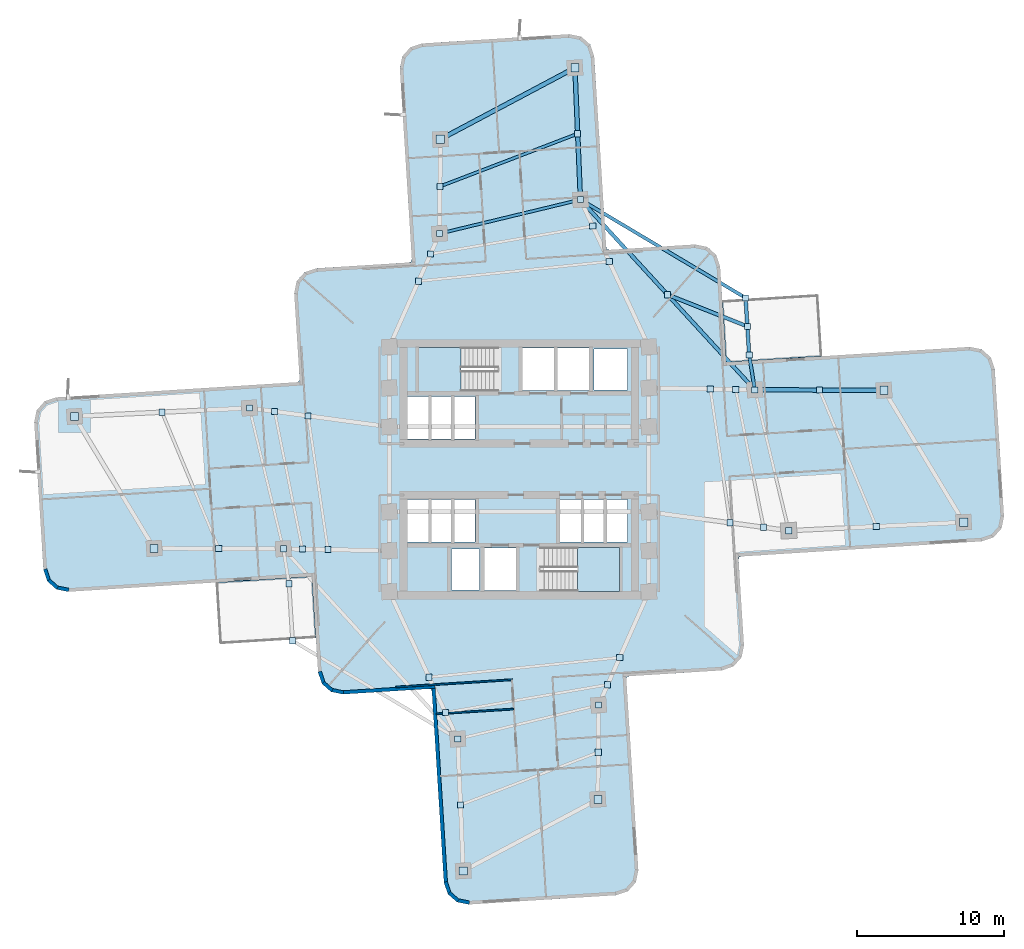
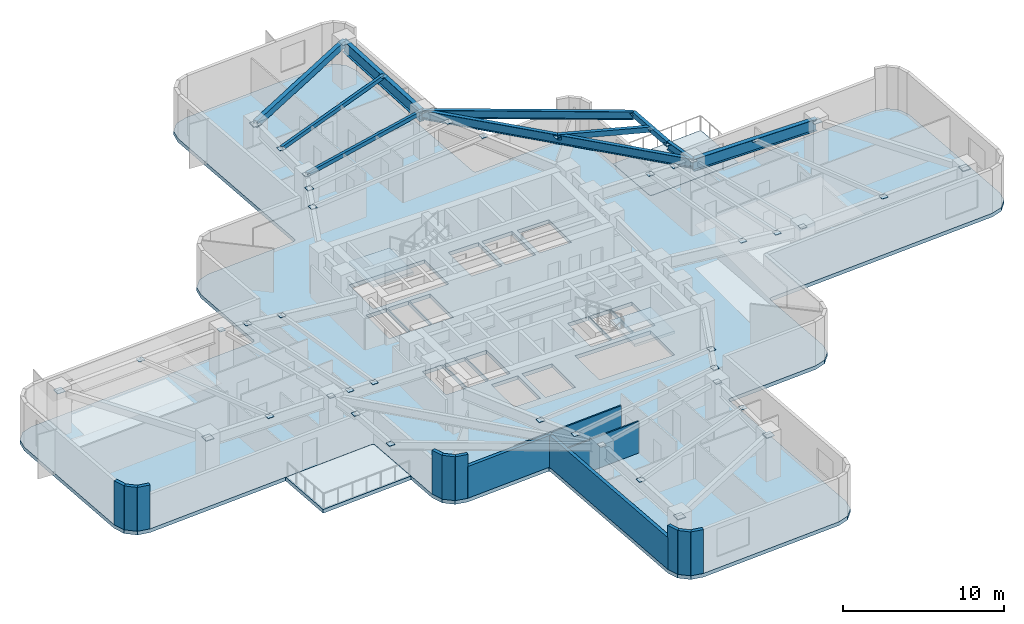
# One storey, part 2 of 11: 46 plates, 13 walls, 10 beams, 5 slabs, 2 elements without a shape of their own.
"""IFC4 building model written with IfcOpenShell, lengths in metres."""

from ifc_helpers import new_model, si_unit, direction, frame, frame_2d, origin, origin_2d, place, context, subcontext, project, spatial, polyline, rectangle, hollow_rectangle, i_section, outline, extrude, material, layer, layer_set, material_profile, profile_set, type_object, element, aggregate, save


model = new_model("IFC4")

# Units and contexts
model_context = context("Model", 3, precision=1e-05, world=origin(), true_north=direction((0.0, 1.0)))
body_context = subcontext(model_context, "Body", "Model", "MODEL_VIEW")
ifc_project = project(units=[si_unit("LENGTHUNIT", "METRE"), si_unit("AREAUNIT", "SQUARE_METRE"), si_unit("VOLUMEUNIT", "CUBIC_METRE"), si_unit("PLANEANGLEUNIT", "RADIAN"), si_unit("MASSUNIT", "GRAM", prefix="KILO")], contexts=[model_context])

# Site, building, storey
site_placement = place(None, origin())
site = spatial("IfcSite", under=ifc_project, at=site_placement, CompositionType="ELEMENT")
building_placement = place(site_placement, origin())
building = spatial("IfcBuilding", under=site, at=building_placement, Name="Solmarez Civic Tower", CompositionType="ELEMENT")
storey_placement = place(building_placement, frame((0.0, 0.0, 49.679931640625)))
storey = spatial("IfcBuildingStorey", under=building, at=storey_placement, Name="L12", CompositionType="ELEMENT", Elevation=49.679931640625)

# Beams
ifc_material_1 = material(Name="Steel S355", Category="steel")
ifc_material_profile_1 = material_profile(ifc_material_1, hollow_rectangle(XDim=0.199951171875, YDim=0.300048828125, WallThickness=0.011962890625, at=origin_2d()), Name="HSS300X200X12")
ifc_profile_set_1 = profile_set([ifc_material_profile_1], Name="Steel S355")
beam_type_1 = type_object("IfcBeamType", Name="BM-JS-HSS300X200", PredefinedType="JOIST", material=ifc_profile_set_1)
beam_1_placement = place(storey_placement, frame((4.18408203125, 18.39111328125, 3.170166015625), z_axis=(-0.97215737271, -0.234328919867, 0.0), x_axis=(0.234328919867, -0.97215737271, 0.0)))
element("IfcBeam", 1, at=beam_1_placement, inside=storey, type_object=beam_type_1, Name="L12 Secondary Floor Joist BM-L12-NA-T1", PredefinedType="JOIST", context=body_context, shape_type="SweptSolid", body=[
    extrude(hollow_rectangle(XDim=0.199951171875, YDim=0.300048828125, WallThickness=0.011962890625, at=origin_2d()), origin(), (0.0, 0.0, 1.0), 9.880126953125),
])
beam_2_placement = place(storey_placement, frame((3.9951171875, 22.886962890625, 3.170166015625), z_axis=(-0.933878315551, -0.357590955903, 0.0), x_axis=(0.357590955903, -0.933878315551, 0.0)))
element("IfcBeam", 2, at=beam_2_placement, inside=storey, type_object=beam_type_1, Name="L12 Secondary Floor Joist JS-L12-NA-M2", PredefinedType="JOIST", context=body_context, shape_type="SweptSolid", body=[
    extrude(hollow_rectangle(XDim=0.199951171875, YDim=0.300048828125, WallThickness=0.011962890625, at=origin_2d()), origin(), (0.0, 0.0, 1.0), 10.05615234375),
])
ifc_material_profile_2 = material_profile(ifc_material_1, i_section(OverallWidth=0.25390625, OverallDepth=0.68798828125, WebThickness=0.01318359375, FlangeThickness=0.02099609375, at=origin_2d()), Name="W27X102")
ifc_profile_set_2 = profile_set([ifc_material_profile_2], Name="Steel S355")
beam_type_2 = type_object("IfcBeamType", Name="BM-PR-W27X102", PredefinedType="BEAM", material=ifc_profile_set_2)
beam_3_placement = place(storey_placement, frame((16.075927734375, 5.4208984375, 2.97607421875), z_axis=(-0.6758012736, 0.737083874875, 0.0), x_axis=(-0.737083874875, -0.6758012736, 0.0)))
element("IfcBeam", 3, at=beam_3_placement, inside=storey, type_object=beam_type_2, Name="L12 Primary Floor Beam BM-L12-BALC-NEC", PredefinedType="BEAM", context=body_context, shape_type="SweptSolid", body=[
    extrude(i_section(OverallWidth=0.25390625, OverallDepth=0.68798828125, WebThickness=0.01318359375, FlangeThickness=0.02099609375, at=origin_2d()), origin(), (0.0, 0.0, 1.0), 17.5966796875),
])
ifc_material_profile_3 = material_profile(ifc_material_1, i_section(OverallWidth=0.303955078125, OverallDepth=0.910888671875, WebThickness=0.015869140625, FlangeThickness=0.02392578125, at=origin_2d()), Name="W36X150")
ifc_profile_set_3 = profile_set([ifc_material_profile_3], Name="Steel S355")
beam_type_3 = type_object("IfcBeamType", Name="BM-PR-W36X150", PredefinedType="BEAM", material=ifc_profile_set_3)
beam_4_placement = place(storey_placement, frame((16.075927734375, 5.4208984375, 2.864013671875), z_axis=(0.99999501223, -0.003158403928, 0.0), x_axis=(0.003158403928, 0.99999501223, 0.0)))
element("IfcBeam", 4, at=beam_4_placement, inside=storey, type_object=beam_type_3, Name="L12 Primary Floor Beam BM-L12-EA-R2B", PredefinedType="BEAM", context=body_context, shape_type="SweptSolid", body=[
    extrude(i_section(OverallWidth=0.303955078125, OverallDepth=0.910888671875, WebThickness=0.015869140625, FlangeThickness=0.02392578125, at=origin_2d()), origin(), (0.0, 0.0, 1.0), 8.81201171875),
])
beam_5_placement = place(storey_placement, frame((4.18408203125, 18.39111328125, 2.864013671875), z_axis=(-0.041911499832, 0.999121327058, 0.0), x_axis=(-0.999121327058, -0.041911499832, 0.0)))
element("IfcBeam", 5, at=beam_5_placement, inside=storey, type_object=beam_type_3, Name="L12 Primary Floor Beam BM-L12-NA-R2A", PredefinedType="BEAM", context=body_context, shape_type="SweptSolid", body=[
    extrude(i_section(OverallWidth=0.303955078125, OverallDepth=0.910888671875, WebThickness=0.015869140625, FlangeThickness=0.02392578125, at=origin_2d()), origin(), (0.0, 0.0, 1.0), 8.999755859375),
])
ifc_material_profile_4 = material_profile(ifc_material_1, hollow_rectangle(XDim=0.25, YDim=0.39990234375, WallThickness=0.01611328125, at=origin_2d()), Name="HSS400X250X16")
ifc_profile_set_4 = profile_set([ifc_material_profile_4], Name="Steel S355")
beam_type_4 = type_object("IfcBeamType", Name="BM-SP-HSS400X250", PredefinedType="SPANDREL", material=ifc_profile_set_4)
beam_6_placement = place(storey_placement, frame((15.69091796875, 7.801025390625, 3.1201171875), z_axis=(-0.062791415886, 0.998026672034, 0.0), x_axis=(-0.998026672034, -0.062791415886, 0.0)))
element("IfcBeam", 6, at=beam_6_placement, inside=storey, type_object=beam_type_4, Name="L12 Perimeter Spandrel Beam BM-L12-BALC-NEE", PredefinedType="SPANDREL", context=body_context, shape_type="SweptSolid", body=[
    extrude(hollow_rectangle(XDim=0.25, YDim=0.39990234375, WallThickness=0.01611328125, at=origin_2d()), origin(), (0.0, 0.0, 1.0), 3.89990234375),
])
beam_7_placement = place(storey_placement, frame((10.1298828125, 11.906005859375, 3.1201171875), z_axis=(0.929460285924, -0.368922182702, 0.0), x_axis=(0.368922182702, 0.929460285924, 0.0)))
element("IfcBeam", 7, at=beam_7_placement, inside=storey, type_object=beam_type_4, Name="L12 Perimeter Spandrel Beam BM-L12-BALC-NEM", PredefinedType="SPANDREL", context=body_context, shape_type="SweptSolid", body=[
    extrude(hollow_rectangle(XDim=0.25, YDim=0.39990234375, WallThickness=0.01611328125, at=origin_2d()), origin(), (0.0, 0.0, 1.0), 5.85205078125),
])
ifc_material_profile_5 = material_profile(ifc_material_1, hollow_rectangle(XDim=0.300048828125, YDim=0.5, WallThickness=0.02001953125, at=origin_2d()), Name="HSS500X300X20")
ifc_profile_set_5 = profile_set([ifc_material_profile_5], Name="Steel S355")
beam_type_5 = type_object("IfcBeamType", Name="BM-SP-HSS500X300", PredefinedType="SPANDREL", material=ifc_profile_set_5)
beam_8_placement = place(storey_placement, frame((3.806884765625, 27.383056640625, 3.070068359375), z_axis=(-0.883129404808, -0.469129464394, 0.0), x_axis=(0.469129464394, -0.883129404808, 0.0)))
element("IfcBeam", 8, at=beam_8_placement, inside=storey, type_object=beam_type_5, Name="L12 Perimeter Spandrel Beam BM-L12-NA-T2", PredefinedType="SPANDREL", context=body_context, shape_type="SweptSolid", body=[
    extrude(hollow_rectangle(XDim=0.300048828125, YDim=0.5, WallThickness=0.02001953125, at=origin_2d()), origin(), (0.0, 0.0, 1.0), 10.3935546875),
])
ifc_material_profile_6 = material_profile(ifc_material_1, i_section(OverallWidth=0.22900390625, OverallDepth=0.612060546875, WebThickness=0.011962890625, FlangeThickness=0.01953125, at=origin_2d()), Name="W24X84")
ifc_profile_set_6 = profile_set([ifc_material_profile_6], Name="Steel S355")
beam_type_6 = type_object("IfcBeamType", Name="BM-SP-W24X84", PredefinedType="SPANDREL", material=ifc_profile_set_6)
beam_9_placement = place(storey_placement, frame((16.075927734375, 5.4208984375, 3.01416015625), z_axis=(-0.159684490548, 0.987168102948, 0.0), x_axis=(-0.987168102948, -0.159684490548, 0.0)))
element("IfcBeam", 9, at=beam_9_placement, inside=storey, type_object=beam_type_6, Name="L12 Perimeter Spandrel Beam BM-L12-BALC-NE1", PredefinedType="SPANDREL", context=body_context, shape_type="SweptSolid", body=[
    extrude(i_section(OverallWidth=0.22900390625, OverallDepth=0.612060546875, WebThickness=0.011962890625, FlangeThickness=0.01953125, at=origin_2d()), origin(), (0.0, 0.0, 1.0), 2.4111328125),
])
beam_10_placement = place(storey_placement, frame((4.18408203125, 18.39111328125, 3.01416015625), z_axis=(0.859479031242, -0.511171003536, 0.0), x_axis=(0.511171003536, 0.859479031242, 0.0)))
element("IfcBeam", 10, at=beam_10_placement, inside=storey, type_object=beam_type_6, Name="L12 Perimeter Spandrel Beam BM-L12-BALC-NE2", PredefinedType="SPANDREL", context=body_context, shape_type="SweptSolid", body=[
    extrude(i_section(OverallWidth=0.22900390625, OverallDepth=0.612060546875, WebThickness=0.011962890625, FlangeThickness=0.01953125, at=origin_2d()), origin(), (0.0, 0.0, 1.0), 13.103271484375),
])

# Plates
ifc_layer_1 = layer(ifc_material_1, 0.02392578125)
ifc_layer_set_1 = layer_set([ifc_layer_1], Name="Steel S355")
plate_type_1 = type_object("IfcPlateType", Name="PLT-CAP-380", PredefinedType="USERDEFINED", material=ifc_layer_set_1)
for number, where, z_axis, x_axis, name in (
    (11, (18.39111328125, -4.18408203125, 3.158203125), (0.0, 0.0, 1.0), (1.0, 0.0, 0.0), "Steel Member End Cap Plate CAP-BM-L12-EA-T1-0"),
    (12, (16.075927734375, 5.4208984375, 3.158203125), (0.0, 0.0, 1.0), (1.0, 0.0, 0.0), "Steel Member End Cap Plate CAP-BM-L12-EA-T1-1"),
    (13, (24.35498046875, -3.89697265625, 3.158203125), (0.0, 0.0, 1.0), (1.0, 0.0, 0.0), "Steel Member End Cap Plate CAP-JS-L12-EA-M2-0"),
    (14, (20.48193359375, 5.406982421875, 3.158203125), (0.0, 0.0, 1.0), (1.0, 0.0, 0.0), "Steel Member End Cap Plate CAP-JS-L12-EA-M2-1"),
    (15, (14.384033203125, -3.64501953125, 3.158203125), (0.0, 0.0, 1.0), (1.0, 0.0, 0.0), "Steel Member End Cap Plate CAP-JS-L12-EA-M11-0"),
    (16, (13.041015625, 5.47509765625, 3.158203125), (0.0, 0.0, 1.0), (1.0, 0.0, 0.0), "Steel Member End Cap Plate CAP-JS-L12-EA-M11-1"),
    (17, (16.674072265625, -3.952880859375, 3.158203125), (0.0, 0.0, 1.0), (1.0, 0.0, 0.0), "Steel Member End Cap Plate CAP-JS-L12-EA-M12-0"),
    (18, (14.77490234375, 5.444091796875, 3.158203125), (0.0, 0.0, 1.0), (1.0, 0.0, 0.0), "Steel Member End Cap Plate CAP-JS-L12-EA-M12-1"),
    (19, (4.18408203125, 18.39111328125, 3.158203125), (0.0, 0.0, 1.0), (1.0, 0.0, 0.0), "Steel Member End Cap Plate CAP-BM-L12-NA-T1-0"),
    (20, (-5.4208984375, 16.075927734375, 3.158203125), (0.0, 0.0, 1.0), (1.0, 0.0, 0.0), "Steel Member End Cap Plate CAP-BM-L12-NA-T1-1"),
    (21, (3.9951171875, 22.886962890625, 3.158203125), (0.0, 0.0, 1.0), (1.0, 0.0, 0.0), "Steel Member End Cap Plate CAP-JS-L12-NA-M2-0"),
    (22, (-5.39599609375, 19.291015625, 3.158203125), (0.0, 0.0, 1.0), (1.0, 0.0, 0.0), "Steel Member End Cap Plate CAP-JS-L12-NA-M2-1"),
    (23, (6.14404296875, 14.174072265625, 3.158203125), (0.0, 0.0, 1.0), (1.0, 0.0, 0.0), "Steel Member End Cap Plate CAP-JS-L12-NA-M11-0"),
    (24, (-6.861083984375, 12.8310546875, 3.158203125), (0.0, 0.0, 1.0), (1.0, 0.0, 0.0), "Steel Member End Cap Plate CAP-JS-L12-NA-M11-1"),
    (25, (5.02392578125, 16.583984375, 3.158203125), (0.0, 0.0, 1.0), (1.0, 0.0, 0.0), "Steel Member End Cap Plate CAP-JS-L12-NA-M12-0"),
    (26, (-6.0380859375, 14.68505859375, 3.158203125), (0.0, 0.0, 1.0), (1.0, 0.0, 0.0), "Steel Member End Cap Plate CAP-JS-L12-NA-M12-1"),
    (27, (-18.39111328125, 4.18408203125, 3.158203125), (0.0, 0.0, 1.0), (1.0, 0.0, 0.0), "Steel Member End Cap Plate CAP-BM-L12-WA-T1-0"),
    (28, (-16.075927734375, -5.4208984375, 3.158203125), (0.0, 0.0, 1.0), (1.0, 0.0, 0.0), "Steel Member End Cap Plate CAP-BM-L12-WA-T1-1"),
    (29, (-24.35498046875, 3.89697265625, 3.158203125), (0.0, 0.0, 1.0), (1.0, 0.0, 0.0), "Steel Member End Cap Plate CAP-JS-L12-WA-M2-0"),
    (30, (-20.48193359375, -5.406982421875, 3.158203125), (0.0, 0.0, 1.0), (1.0, 0.0, 0.0), "Steel Member End Cap Plate CAP-JS-L12-WA-M2-1"),
    (31, (-14.384033203125, 3.64501953125, 3.158203125), (0.0, 0.0, 1.0), (1.0, 0.0, 0.0), "Steel Member End Cap Plate CAP-JS-L12-WA-M11-0"),
    (32, (-13.041015625, -5.47509765625, 3.158203125), (0.0, 0.0, 1.0), (1.0, 0.0, 0.0), "Steel Member End Cap Plate CAP-JS-L12-WA-M11-1"),
    (33, (-16.674072265625, 3.952880859375, 3.158203125), (0.0, 0.0, 1.0), (1.0, 0.0, 0.0), "Steel Member End Cap Plate CAP-JS-L12-WA-M12-0"),
    (34, (-14.77490234375, -5.444091796875, 3.158203125), (0.0, 0.0, 1.0), (1.0, 0.0, 0.0), "Steel Member End Cap Plate CAP-JS-L12-WA-M12-1"),
    (35, (-4.18408203125, -18.39111328125, 3.158203125), (0.0, 0.0, 1.0), (1.0, 0.0, 0.0), "Steel Member End Cap Plate CAP-BM-L12-SA-T1-0"),
    (36, (5.4208984375, -16.075927734375, 3.158203125), (0.0, 0.0, 1.0), (1.0, 0.0, 0.0), "Steel Member End Cap Plate CAP-BM-L12-SA-T1-1"),
    (37, (-3.9951171875, -22.886962890625, 3.158203125), (0.0, 0.0, 1.0), (1.0, 0.0, 0.0), "Steel Member End Cap Plate CAP-JS-L12-SA-M2-0"),
    (38, (5.39599609375, -19.291015625, 3.158203125), (0.0, 0.0, 1.0), (1.0, 0.0, 0.0), "Steel Member End Cap Plate CAP-JS-L12-SA-M2-1"),
    (39, (-6.14404296875, -14.174072265625, 3.158203125), (0.0, 0.0, 1.0), (1.0, 0.0, 0.0), "Steel Member End Cap Plate CAP-JS-L12-SA-M11-0"),
    (40, (6.861083984375, -12.8310546875, 3.158203125), (0.0, 0.0, 1.0), (1.0, 0.0, 0.0), "Steel Member End Cap Plate CAP-JS-L12-SA-M11-1"),
    (41, (-5.02392578125, -16.583984375, 3.158203125), (0.0, 0.0, 1.0), (1.0, 0.0, 0.0), "Steel Member End Cap Plate CAP-JS-L12-SA-M12-0"),
    (42, (6.0380859375, -14.68505859375, 3.158203125), (0.0, 0.0, 1.0), (1.0, 0.0, 0.0), "Steel Member End Cap Plate CAP-JS-L12-SA-M12-1"),
    (43, (15.69091796875, 7.801025390625, 3.108154296875), (0.0, 0.0, 1.0), (1.0, 0.0, 0.0), "Steel Member End Cap Plate CAP-BM-L12-BALC-NEE-0"),
    (44, (15.446044921875, 11.693115234375, 3.108154296875), (0.0, 0.0, 1.0), (1.0, 0.0, 0.0), "Steel Member End Cap Plate CAP-BM-L12-BALC-NEE-1"),
    (45, (10.1298828125, 11.906005859375, 3.108154296875), (0.0, 0.0, 1.0), (1.0, 0.0, 0.0), "Steel Member End Cap Plate CAP-BM-L12-BALC-NEM-0"),
    (46, (15.569091796875, 9.7470703125, 3.108154296875), (0.0, 0.0, 1.0), (1.0, 0.0, 0.0), "Steel Member End Cap Plate CAP-BM-L12-BALC-NEM-1"),
    (47, (-15.69091796875, -7.801025390625, 3.108154296875), (0.0, 0.0, 1.0), (1.0, 0.0, 0.0), "Steel Member End Cap Plate CAP-BM-L12-BALC-SWE-0"),
    (48, (-15.446044921875, -11.693115234375, 3.108154296875), (0.0, 0.0, 1.0), (1.0, 0.0, 0.0), "Steel Member End Cap Plate CAP-BM-L12-BALC-SWE-1"),
):
    element("IfcPlate", number, at=place(storey_placement, frame(where, z_axis=z_axis, x_axis=x_axis)), inside=storey, type_object=plate_type_1, Name=name, ObjectType="CAP_PLATE", PredefinedType="USERDEFINED", context=body_context, shape_type="SweptSolid", body=[
        extrude(rectangle(XDim=0.419921875, YDim=0.419921875, at=origin_2d()), origin(), (0.0, 0.0, 1.0), 0.02392578125),
    ])
ifc_layer_2 = layer(ifc_material_1, 0.028076171875)
ifc_layer_set_2 = layer_set([ifc_layer_2], Name="Steel S355")
plate_type_2 = type_object("IfcPlateType", Name="PLT-CAP-540", PredefinedType="USERDEFINED", material=ifc_layer_set_2)
for number, where, z_axis, x_axis, name in (
    (49, (30.318115234375, -3.60888671875, 3.05615234375), (0.0, 0.0, 1.0), (1.0, 0.0, 0.0), "Steel Member End Cap Plate CAP-BM-L12-EA-T2-0"),
    (50, (24.887939453125, 5.39306640625, 3.05615234375), (0.0, 0.0, 1.0), (1.0, 0.0, 0.0), "Steel Member End Cap Plate CAP-BM-L12-EA-T2-1"),
    (51, (3.806884765625, 27.383056640625, 3.05615234375), (0.0, 0.0, 1.0), (1.0, 0.0, 0.0), "Steel Member End Cap Plate CAP-BM-L12-NA-T2-0"),
    (52, (-5.3720703125, 22.507080078125, 3.05615234375), (0.0, 0.0, 1.0), (1.0, 0.0, 0.0), "Steel Member End Cap Plate CAP-BM-L12-NA-T2-1"),
    (53, (-30.318115234375, 3.60888671875, 3.05615234375), (0.0, 0.0, 1.0), (1.0, 0.0, 0.0), "Steel Member End Cap Plate CAP-BM-L12-WA-T2-0"),
    (54, (-24.887939453125, -5.39306640625, 3.05615234375), (0.0, 0.0, 1.0), (1.0, 0.0, 0.0), "Steel Member End Cap Plate CAP-BM-L12-WA-T2-1"),
    (55, (-3.806884765625, -27.383056640625, 3.05615234375), (0.0, 0.0, 1.0), (1.0, 0.0, 0.0), "Steel Member End Cap Plate CAP-BM-L12-SA-T2-0"),
    (56, (5.3720703125, -22.507080078125, 3.05615234375), (0.0, 0.0, 1.0), (1.0, 0.0, 0.0), "Steel Member End Cap Plate CAP-BM-L12-SA-T2-1"),
):
    element("IfcPlate", number, at=place(storey_placement, frame(where, z_axis=z_axis, x_axis=x_axis)), inside=storey, type_object=plate_type_2, Name=name, ObjectType="CAP_PLATE", PredefinedType="USERDEFINED", context=body_context, shape_type="SweptSolid", body=[
        extrude(rectangle(XDim=0.56005859375, YDim=0.56005859375, at=origin_2d()), origin(), (0.0, 0.0, 1.0), 0.028076171875),
    ])

# Stair, slab
ifc_material_2 = material(Name="Concrete C50/60", Category="concrete")
stair_type = type_object("IfcStairType", Name="STAIR-DOGLEG-140W-20R-1800", PredefinedType="HALF_TURN_STAIR", material=ifc_material_2)
stair_1_placement = place(storey_placement, origin())
stair_1 = element("IfcStair", 57, at=stair_1_placement, inside=storey, type_object=stair_type, Name="L12 North Core Protected Exit Stair ST-1", PredefinedType="HALF_TURN_STAIR")
ifc_layer_3 = layer(ifc_material_2, 0.199951171875)
ifc_layer_set_3 = layer_set([ifc_layer_3], Name="Concrete C50/60")
slab_type_1 = type_object("IfcSlabType", Name="SLAB-LANDING-200", PredefinedType="LANDING", material=ifc_layer_set_3)
slab_1_placement = place(storey_placement, frame((0.0, 0.0, 1.60009765625)))
slab_1 = element("IfcSlab", 58, at=slab_1_placement, type_object=slab_type_1, Name="ST-1 landing 1", PredefinedType="LANDING", context=body_context, shape_type="SweptSolid", body=[
    extrude(outline(polyline([(-3.969970703125, 8.320068359375), (-6.85009765625, 8.320068359375), (-6.85009765625, 5.320068359375), (-3.969970703125, 5.320068359375), (-3.969970703125, 8.320068359375)])), origin(), (0.0, 0.0, 1.0), 0.199951171875),
])
aggregate(stair_1, [slab_1])

stair_2_placement = place(storey_placement, origin())
stair_2 = element("IfcStair", 59, at=stair_2_placement, inside=storey, type_object=stair_type, Name="L12 South Core Protected Exit Stair ST-2", PredefinedType="HALF_TURN_STAIR")
slab_2_placement = place(storey_placement, frame((0.0, 0.0, 1.60009765625)))
slab_2 = element("IfcSlab", 60, at=slab_2_placement, type_object=slab_type_1, Name="ST-2 landing 1", PredefinedType="LANDING", context=body_context, shape_type="SweptSolid", body=[
    extrude(outline(polyline([(3.969970703125, -8.320068359375), (6.85009765625, -8.320068359375), (6.85009765625, -5.320068359375), (3.969970703125, -5.320068359375), (3.969970703125, -8.320068359375)])), origin(), (0.0, 0.0, 1.0), 0.199951171875),
])
aggregate(stair_2, [slab_2])

# Slabs
ifc_layer_4 = layer(ifc_material_2, 0.280029296875)
ifc_layer_set_4 = layer_set([ifc_layer_4], Name="Concrete C50/60")
slab_type_2 = type_object("IfcSlabType", Name="SLAB-TOWER-280", PredefinedType="FLOOR", material=ifc_layer_set_4)
slab_3_placement = place(storey_placement, frame((0.0, 0.0, -0.280029296875)))
element("IfcSlab", 61, at=slab_3_placement, inside=storey, type_object=slab_type_2, Name="L12 Structural Slab", PredefinedType="FLOOR", context=body_context, shape_type="SweptSolid", body=[
    extrude(outline(polyline([(-14.10595703125, -7.510986328125), (-13.7080078125, -13.837890625), (-13.444091796875, -14.623046875), (-12.822998046875, -15.1708984375), (-12.010986328125, -15.333984375), (-6.1630859375, -14.967041015625), (-5.993896484375, -15.0009765625), (-5.93994140625, -15.1640625), (-5.12109375, -28.177001953125), (-4.85693359375, -28.9619140625), (-4.235107421875, -29.510009765625), (-3.424072265625, -29.674072265625), (6.636962890625, -29.041015625), (7.422119140625, -28.77587890625), (7.968994140625, -28.155029296875), (8.133056640625, -27.343017578125), (7.31396484375, -14.330078125), (7.347900390625, -14.160888671875), (7.510986328125, -14.10595703125), (13.837890625, -13.7080078125), (14.623046875, -13.444091796875), (15.1708984375, -12.822998046875), (15.333984375, -12.010986328125), (14.967041015625, -6.1630859375), (15.0009765625, -5.993896484375), (15.1640625, -5.93994140625), (31.570068359375, -4.906982421875), (32.35498046875, -4.64306640625), (32.903076171875, -4.02197265625), (33.06689453125, -3.2099609375), (32.43408203125, 6.85009765625), (32.169921875, 7.635009765625), (31.548095703125, 8.18310546875), (30.737060546875, 8.345947265625), (14.330078125, 7.31396484375), (14.160888671875, 7.347900390625), (14.10595703125, 7.510986328125), (13.7080078125, 13.837890625), (13.444091796875, 14.623046875), (12.822998046875, 15.1708984375), (12.010986328125, 15.333984375), (6.1630859375, 14.967041015625), (5.993896484375, 15.0009765625), (5.93994140625, 15.1640625), (5.12109375, 28.177001953125), (4.85693359375, 28.9619140625), (4.235107421875, 29.510009765625), (3.424072265625, 29.674072265625), (-6.636962890625, 29.041015625), (-7.422119140625, 28.77587890625), (-7.968994140625, 28.155029296875), (-8.133056640625, 27.343017578125), (-7.31396484375, 14.330078125), (-7.347900390625, 14.160888671875), (-7.510986328125, 14.10595703125), (-13.837890625, 13.7080078125), (-14.623046875, 13.444091796875), (-15.1708984375, 12.822998046875), (-15.333984375, 12.010986328125), (-14.967041015625, 6.1630859375), (-15.0009765625, 5.993896484375), (-15.1640625, 5.93994140625), (-31.570068359375, 4.906982421875), (-32.35498046875, 4.64306640625), (-32.903076171875, 4.02197265625), (-33.06689453125, 3.2099609375), (-32.43408203125, -6.85009765625), (-32.169921875, -7.635009765625), (-31.548095703125, -8.18310546875), (-30.737060546875, -8.345947265625), (-14.330078125, -7.31396484375), (-14.160888671875, -7.347900390625), (-14.10595703125, -7.510986328125)]), holes=[polyline([(-1.449951171875, 8.320068359375), (-6.85009765625, 8.320068359375), (-6.85009765625, 5.320068359375), (-1.449951171875, 5.320068359375), (-1.449951171875, 8.320068359375)]), polyline([(1.449951171875, -8.320068359375), (6.85009765625, -8.320068359375), (6.85009765625, -5.320068359375), (1.449951171875, -5.320068359375), (1.449951171875, -8.320068359375)]), polyline([(0.219970703125, 5.360107421875), (2.3798828125, 5.360107421875), (2.3798828125, 8.280029296875), (0.219970703125, 8.280029296875), (0.219970703125, 5.360107421875)]), polyline([(2.6201171875, 5.360107421875), (4.780029296875, 5.360107421875), (4.780029296875, 8.280029296875), (2.6201171875, 8.280029296875), (2.6201171875, 5.360107421875)]), polyline([(-2.3798828125, -8.280029296875), (-0.219970703125, -8.280029296875), (-0.219970703125, -5.360107421875), (-2.3798828125, -5.360107421875), (-2.3798828125, -8.280029296875)]), polyline([(2.800048828125, -4.9599609375), (4.280029296875, -4.9599609375), (4.280029296875, -2.06005859375), (2.800048828125, -2.06005859375), (2.800048828125, -4.9599609375)]), polyline([(4.360107421875, -4.9599609375), (5.840087890625, -4.9599609375), (5.840087890625, -2.06005859375), (4.360107421875, -2.06005859375), (4.360107421875, -4.9599609375)]), polyline([(5.919921875, -4.9599609375), (7.39990234375, -4.9599609375), (7.39990234375, -2.06005859375), (5.919921875, -2.06005859375), (5.919921875, -4.9599609375)]), polyline([(-7.60009765625, -4.9599609375), (-6.1201171875, -4.9599609375), (-6.1201171875, -2.06005859375), (-7.60009765625, -2.06005859375), (-7.60009765625, -4.9599609375)]), polyline([(-6.0400390625, -4.9599609375), (-4.56005859375, -4.9599609375), (-4.56005859375, -2.06005859375), (-6.0400390625, -2.06005859375), (-6.0400390625, -4.9599609375)]), polyline([(-4.47998046875, -4.9599609375), (-3.0, -4.9599609375), (-3.0, -2.06005859375), (-4.47998046875, -2.06005859375), (-4.47998046875, -4.9599609375)]), polyline([(-7.60009765625, 2.06005859375), (-6.1201171875, 2.06005859375), (-6.1201171875, 4.9599609375), (-7.60009765625, 4.9599609375), (-7.60009765625, 2.06005859375)]), polyline([(-6.0400390625, 2.06005859375), (-4.56005859375, 2.06005859375), (-4.56005859375, 4.9599609375), (-6.0400390625, 4.9599609375), (-6.0400390625, 2.06005859375)]), polyline([(-4.47998046875, 2.06005859375), (-3.0, 2.06005859375), (-3.0, 4.9599609375), (-4.47998046875, 4.9599609375), (-4.47998046875, 2.06005859375)]), polyline([(5.10009765625, 5.419921875), (7.39990234375, 5.419921875), (7.39990234375, 8.219970703125), (5.10009765625, 8.219970703125), (5.10009765625, 5.419921875)]), polyline([(-4.60009765625, -8.219970703125), (-2.699951171875, -8.219970703125), (-2.699951171875, -5.419921875), (-4.60009765625, -5.419921875), (-4.60009765625, -8.219970703125)])]), origin(), (0.0, 0.0, 1.0), 0.280029296875),
])
slab_4_placement = place(storey_placement, frame((0.0, 0.0, -0.280029296875)))
element("IfcSlab", 62, at=slab_4_placement, inside=storey, type_object=slab_type_2, Name="L12 Re-entrant Corner Winter-Garden Balcony NE", PredefinedType="FLOOR", context=body_context, shape_type="SweptSolid", body=[
    extrude(outline(polyline([(13.85791015625, 11.492919921875), (14.10791015625, 7.511962890625), (14.1630859375, 7.35009765625), (14.330078125, 7.31591796875), (20.656005859375, 7.714111328125), (20.39306640625, 11.904052734375), (13.85791015625, 11.492919921875)])), origin(), (0.0, 0.0, 1.0), 0.280029296875),
])
slab_5_placement = place(storey_placement, frame((0.0, 0.0, -0.280029296875)))
element("IfcSlab", 63, at=slab_5_placement, inside=storey, type_object=slab_type_2, Name="L12 Re-entrant Corner Winter-Garden Balcony SW", PredefinedType="FLOOR", context=body_context, shape_type="SweptSolid", body=[
    extrude(outline(polyline([(-13.85791015625, -11.492919921875), (-14.10791015625, -7.511962890625), (-14.1630859375, -7.35009765625), (-14.330078125, -7.31591796875), (-20.656005859375, -7.714111328125), (-20.39306640625, -11.904052734375), (-13.85791015625, -11.492919921875)])), origin(), (0.0, 0.0, 1.0), 0.280029296875),
])

# Walls
ifc_material_3 = material(Name="Precast concrete C40/50", Category="concrete")
ifc_layer_5 = layer(ifc_material_3, 0.239990234375)
ifc_layer_set_5 = layer_set([ifc_layer_5], Name="Precast concrete C40/50")
wall_type_1 = type_object("IfcWallType", Name="WALL-EXT-240", PredefinedType="SOLIDWALL", material=ifc_layer_set_5)
wall_1_placement = place(storey_placement, frame((-30.702880859375, -8.23095703125, 0.0), z_axis=(0.0, 0.0, 1.0), x_axis=(-0.980115061473, 0.198430003461, 0.0)))
element("IfcWall", 64, at=wall_1_placement, inside=storey, type_object=wall_type_1, Name="L12 Exterior Precast Wall 3", PredefinedType="SOLIDWALL", context=body_context, shape_type="SweptSolid", body=[
    extrude(rectangle(XDim=0.831787109375, YDim=0.239990234375, at=frame_2d((0.416015625, 0.0))), origin(), (0.0, 0.0, 1.0), 3.320068359375),
])
wall_2_placement = place(storey_placement, frame((-31.47412109375, -8.087890625, 0.0), z_axis=(0.0, 0.0, 1.0), x_axis=(-0.749934065497, 0.661512582954, 0.0)))
element("IfcWall", 65, at=wall_2_placement, inside=storey, type_object=wall_type_1, Name="L12 Exterior Precast Wall 4", PredefinedType="SOLIDWALL", context=body_context, shape_type="SweptSolid", body=[
    extrude(rectangle(XDim=0.814453125, YDim=0.239990234375, at=frame_2d((0.4072265625, 0.0))), origin(), (0.0, 0.0, 1.0), 3.320068359375),
])
wall_3_placement = place(storey_placement, frame((-32.05810546875, -7.590087890625, 0.0), z_axis=(0.0, 0.0, 1.0), x_axis=(-0.318960399163, 0.947768043229, 0.0)))
element("IfcWall", 66, at=wall_3_placement, inside=storey, type_object=wall_type_1, Name="L12 Exterior Precast Wall 5", PredefinedType="SOLIDWALL", context=body_context, shape_type="SweptSolid", body=[
    extrude(rectangle(XDim=0.83056640625, YDim=0.239990234375, at=frame_2d((0.415283203125, 0.0))), origin(), (0.0, 0.0, 1.0), 3.320068359375),
])
wall_4_placement = place(storey_placement, frame((-3.389892578125, -29.55810546875, 0.0), z_axis=(0.0, 0.0, 1.0), x_axis=(-0.980342817353, 0.19730169909, 0.0)))
element("IfcWall", 67, at=wall_4_placement, inside=storey, type_object=wall_type_1, Name="L12 Exterior Precast Wall 61", PredefinedType="SOLIDWALL", context=body_context, shape_type="SweptSolid", body=[
    extrude(rectangle(XDim=0.83154296875, YDim=0.239990234375, at=frame_2d((0.415771484375, 0.0))), origin(), (0.0, 0.0, 1.0), 3.320068359375),
])
wall_5_placement = place(storey_placement, frame((-4.160888671875, -29.416015625, 0.0), z_axis=(0.0, 0.0, 1.0), x_axis=(-0.749322176211, 0.662205614774, 0.0)))
element("IfcWall", 68, at=wall_5_placement, inside=storey, type_object=wall_type_1, Name="L12 Exterior Precast Wall 62", PredefinedType="SOLIDWALL", context=body_context, shape_type="SweptSolid", body=[
    extrude(rectangle(XDim=0.8154296875, YDim=0.239990234375, at=frame_2d((0.40771484375, 0.0))), origin(), (0.0, 0.0, 1.0), 3.320068359375),
])
wall_6_placement = place(storey_placement, frame((-4.7451171875, -28.9169921875, 0.0), z_axis=(0.0, 0.0, 1.0), x_axis=(-0.318960399163, 0.947768043229, 0.0)))
element("IfcWall", 69, at=wall_6_placement, inside=storey, type_object=wall_type_1, Name="L12 Exterior Precast Wall 63", PredefinedType="SOLIDWALL", context=body_context, shape_type="SweptSolid", body=[
    extrude(rectangle(XDim=0.83056640625, YDim=0.239990234375, at=frame_2d((0.415283203125, 0.0))), origin(), (0.0, 0.0, 1.0), 3.320068359375),
])
wall_7_placement = place(storey_placement, frame((-5.0, -28.178955078125, 0.0), z_axis=(0.0, 0.0, 1.0), x_axis=(-0.062848621891, 0.99802307124, 0.0)))
element("IfcWall", 70, at=wall_7_placement, inside=storey, type_object=wall_type_1, Name="L12 Exterior Precast Wall 64", PredefinedType="SOLIDWALL", context=body_context, shape_type="SweptSolid", body=[
    extrude(rectangle(XDim=13.4755859375, YDim=0.239990234375, at=frame_2d((6.73779296875, 0.0))), origin(), (0.0, 0.0, 1.0), 2.401123046875),
])
wall_8_placement = place(storey_placement, frame((-5.7451171875, -14.820068359375, 0.0), z_axis=(0.0, 0.0, 1.0), x_axis=(-0.998019696231, -0.062902193405, 0.0)))
element("IfcWall", 71, at=wall_8_placement, inside=storey, type_object=wall_type_1, Name="L12 Exterior Precast Wall 67", PredefinedType="SOLIDWALL", context=body_context, shape_type="SweptSolid", body=[
    extrude(rectangle(XDim=6.29541015625, YDim=0.239990234375, at=frame_2d((3.147705078125, 0.0))), origin(), (0.0, 0.0, 1.0), 2.401123046875),
])
wall_9_placement = place(storey_placement, frame((-11.97802734375, -15.218994140625, 0.0), z_axis=(0.0, 0.0, 1.0), x_axis=(-0.980057147523, 0.198715846348, 0.0)))
element("IfcWall", 72, at=wall_9_placement, inside=storey, type_object=wall_type_1, Name="L12 Exterior Precast Wall 68", PredefinedType="SOLIDWALL", context=body_context, shape_type="SweptSolid", body=[
    extrude(rectangle(XDim=0.83056640625, YDim=0.239990234375, at=frame_2d((0.415283203125, 0.0))), origin(), (0.0, 0.0, 1.0), 3.320068359375),
])
wall_10_placement = place(storey_placement, frame((-12.748046875, -15.075927734375, 0.0), z_axis=(0.0, 0.0, 1.0), x_axis=(-0.750588777208, 0.66076961759, 0.0)))
element("IfcWall", 73, at=wall_10_placement, inside=storey, type_object=wall_type_1, Name="L12 Exterior Precast Wall 69", PredefinedType="SOLIDWALL", context=body_context, shape_type="SweptSolid", body=[
    extrude(rectangle(XDim=0.8154296875, YDim=0.239990234375, at=frame_2d((0.40771484375, 0.0))), origin(), (0.0, 0.0, 1.0), 3.320068359375),
])
wall_11_placement = place(storey_placement, frame((-13.3330078125, -14.577880859375, 0.0), z_axis=(0.0, 0.0, 1.0), x_axis=(-0.317992207862, 0.948093326492, 0.0)))
element("IfcWall", 74, at=wall_11_placement, inside=storey, type_object=wall_type_1, Name="L12 Exterior Precast Wall 70", PredefinedType="SOLIDWALL", context=body_context, shape_type="SweptSolid", body=[
    extrude(rectangle(XDim=0.829833984375, YDim=0.239990234375, at=frame_2d((0.4150390625, 0.0))), origin(), (0.0, 0.0, 1.0), 3.320068359375),
])
ifc_material_4 = material(Name="Gypsum Board Acoustic Steel-Stud Partition", Category="steel")
ifc_layer_6 = layer(ifc_material_4, 0.10009765625)
ifc_layer_set_6 = layer_set([ifc_layer_6], Name="Gypsum Board Acoustic Steel-Stud Partition")
wall_type_2 = type_object("IfcWallType", Name="WALL-INT-PART-100", PredefinedType="PARTITIONING", material=ifc_layer_set_6)
wall_12_placement = place(storey_placement, frame((-8.404052734375, -14.846923828125, 0.0), z_axis=(0.0, 0.0, 1.0), x_axis=(0.998027884619, 0.062772139706, 0.0)))
element("IfcWall", 75, at=wall_12_placement, inside=storey, type_object=wall_type_2, Name="L12 Interior Partition PT-L12-S-EFR", PredefinedType="PARTITIONING", context=body_context, shape_type="SweptSolid", body=[
    extrude(rectangle(XDim=7.94970703125, YDim=0.10009765625, at=frame_2d((3.974853515625, 0.0))), origin(), (0.0, 0.0, 1.0), 2.401123046875),
])
wall_13_placement = place(storey_placement, frame((-5.638916015625, -16.677001953125, 0.0), z_axis=(0.0, 0.0, 1.0), x_axis=(0.998028916901, 0.062755725078, 0.0)))
element("IfcWall", 76, at=wall_13_placement, inside=storey, type_object=wall_type_2, Name="L12 Interior Partition PT-L12-S-RM", PredefinedType="PARTITIONING", context=body_context, shape_type="SweptSolid", body=[
    extrude(rectangle(XDim=5.275390625, YDim=0.10009765625, at=frame_2d((2.6376953125, 0.0))), origin(), (0.0, 0.0, 1.0), 2.401123046875),
])

save(model, "model.ifc")
